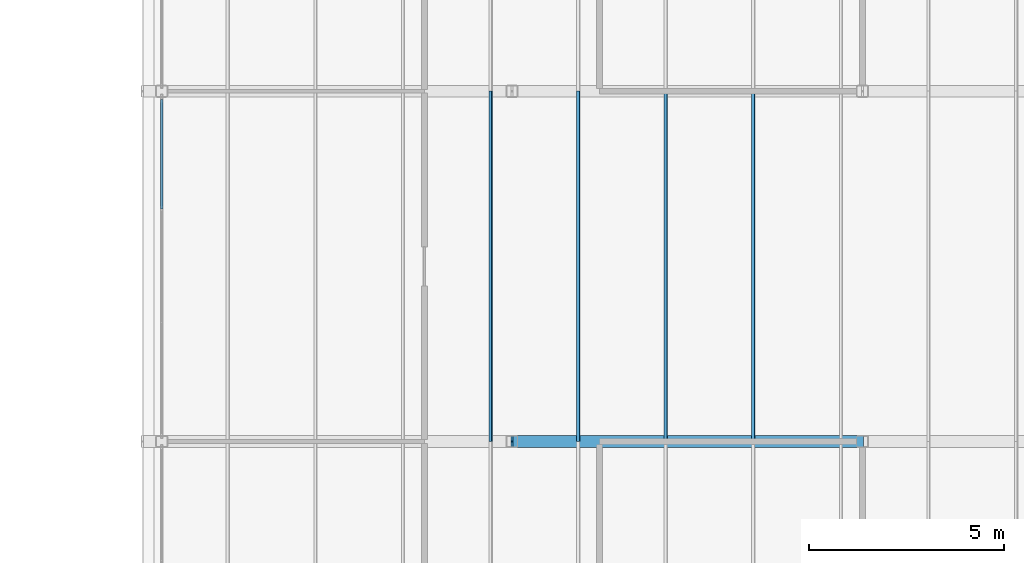
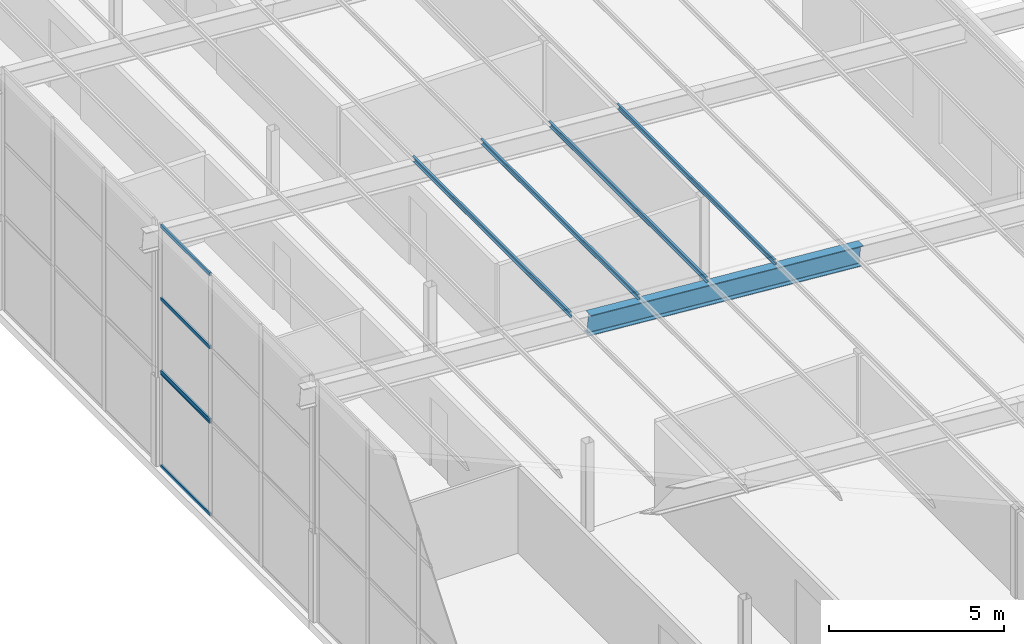
# One storey, part 36 of 85: 10 members, 2 elements without a shape of their own.
"""IFC4 building model written with IfcOpenShell, lengths in metres."""

from ifc_helpers import new_model, si_unit, direction, frame, origin, origin_2d, place, context, subcontext, project, spatial, polyline, hollow_rectangle, i_section, outline, extrude, material, layer, layer_set, material_profile, profile_set, type_object, element, aggregate, save


model = new_model("IFC4")

# Units and contexts
model_context = context("Model", 3, precision=1e-05, world=origin(), true_north=direction((0.0, 1.0)))
body_context = subcontext(model_context, "Body", "Model", "MODEL_VIEW")
ifc_project = project(units=[si_unit("LENGTHUNIT", "METRE"), si_unit("AREAUNIT", "SQUARE_METRE"), si_unit("VOLUMEUNIT", "CUBIC_METRE"), si_unit("PLANEANGLEUNIT", "RADIAN"), si_unit("MASSUNIT", "GRAM", prefix="KILO")], contexts=[model_context])

# Site, building, storey
site_placement = place(None, origin())
site = spatial("IfcSite", under=ifc_project, at=site_placement, CompositionType="ELEMENT")
building_placement = place(site_placement, origin())
building = spatial("IfcBuilding", under=site, at=building_placement, Name="Opaline Strait Convention Centre", CompositionType="ELEMENT")
storey_placement = place(building_placement, frame((0.0, 0.0, 17.0)))
storey = spatial("IfcBuildingStorey", under=building, at=storey_placement, Name="L03", CompositionType="ELEMENT", Elevation=17.0)

# Curtain wall, members
ifc_material_1 = material(Name="Aluminium framed double glazing", Category="aluminium")
ifc_layer = layer(ifc_material_1, 0.199951171875)
ifc_layer_set = layer_set([ifc_layer], Name="Aluminium framed double glazing")
curtain_wall_type = type_object("IfcCurtainWallType", Name="Curtain wall 3000 module unitised", PredefinedType="NOTDEFINED", material=ifc_layer_set)
curtain_wall_1_placement = place(storey_placement, origin())
curtain_wall_1 = element("IfcCurtainWall", 1, at=curtain_wall_1_placement, inside=storey, type_object=curtain_wall_type, Name="Curtain wall W L03 32/R", PredefinedType="NOTDEFINED")
ifc_material_2 = material(Name="Aluminium alloy 6063", Category="aluminium")
ifc_material_profile_1 = material_profile(ifc_material_2, hollow_rectangle(XDim=0.06005859375, YDim=0.1201171875, WallThickness=0.0029296875, at=origin_2d()), Name="TRANSOM 60x120x3")
ifc_profile_set_1 = profile_set([ifc_material_profile_1], Name="Aluminium alloy 6063")
member_type_1 = type_object("IfcMemberType", Name="Curtain wall transom 60 x 120", PredefinedType="USERDEFINED", material=ifc_profile_set_1)
member_1_placement = place(storey_placement, frame((279.0, 140.97998046875, 0.030029296875), z_axis=(0.0, 1.0, 0.0), x_axis=(-1.0, 0.0, 0.0)))
member_1 = element("IfcMember", 2, at=member_1_placement, type_object=member_type_1, Name="MCWR1 transom 3.1", ObjectType="TRANSOM", PredefinedType="USERDEFINED", context=body_context, shape_type="SweptSolid", body=[
    extrude(hollow_rectangle(XDim=0.06005859375, YDim=0.1201171875, WallThickness=0.0029296875, at=origin_2d()), origin(), (0.0, 0.0, 1.0), 2.81005859375),
])
member_2_placement = place(storey_placement, frame((279.0, 140.97998046875, 3.27001953125), z_axis=(0.0, 1.0, 0.0), x_axis=(-1.0, 0.0, 0.0)))
member_2 = element("IfcMember", 3, at=member_2_placement, type_object=member_type_1, Name="MCWR1 transom 3.2", ObjectType="TRANSOM", PredefinedType="USERDEFINED", context=body_context, shape_type="SweptSolid", body=[
    extrude(hollow_rectangle(XDim=0.06005859375, YDim=0.1201171875, WallThickness=0.0029296875, at=origin_2d()), origin(), (0.0, 0.0, 1.0), 2.81005859375),
])
aggregate(curtain_wall_1, [member_1, member_2])

curtain_wall_2_placement = place(storey_placement, origin())
curtain_wall_2 = element("IfcCurtainWall", 4, at=curtain_wall_2_placement, inside=storey, type_object=curtain_wall_type, Name="Clerestory curtain wall W L03 32/R", PredefinedType="NOTDEFINED")
member_3_placement = place(storey_placement, frame((279.0, 140.97998046875, 3.330078125), z_axis=(0.0, 1.0, 0.0), x_axis=(-1.0, 0.0, 0.0)))
member_3 = element("IfcMember", 5, at=member_3_placement, type_object=member_type_1, Name="MCWR1 transom 3.1", ObjectType="TRANSOM", PredefinedType="USERDEFINED", context=body_context, shape_type="SweptSolid", body=[
    extrude(hollow_rectangle(XDim=0.06005859375, YDim=0.1201171875, WallThickness=0.0029296875, at=origin_2d()), origin(), (0.0, 0.0, 1.0), 2.81005859375),
])
member_4_placement = place(storey_placement, frame((279.0, 140.97998046875, 5.872314453125), z_axis=(0.0, 1.0, 0.0), x_axis=(-1.0, 0.0, 0.0)))
member_4 = element("IfcMember", 6, at=member_4_placement, type_object=member_type_1, Name="MCWR1 transom 3.2", ObjectType="TRANSOM", PredefinedType="USERDEFINED", context=body_context, shape_type="SweptSolid", body=[
    extrude(hollow_rectangle(XDim=0.06005859375, YDim=0.1201171875, WallThickness=0.0029296875, at=origin_2d()), origin(), (0.0, 0.0, 1.0), 2.81005859375),
])
member_5_placement = place(storey_placement, frame((279.0, 140.97998046875, 8.414306640625), z_axis=(0.0, 1.0, 0.0), x_axis=(-1.0, 0.0, 0.0)))
member_5 = element("IfcMember", 7, at=member_5_placement, type_object=member_type_1, Name="MCWR1 transom 3.3", ObjectType="TRANSOM", PredefinedType="USERDEFINED", context=body_context, shape_type="SweptSolid", body=[
    extrude(hollow_rectangle(XDim=0.06005859375, YDim=0.1201171875, WallThickness=0.0029296875, at=origin_2d()), origin(), (0.0, 0.0, 1.0), 2.81005859375),
])
aggregate(curtain_wall_2, [member_3, member_4, member_5])

# Members
ifc_material_3 = material(Name="Steel Q355B", Category="steel")
ifc_material_profile_2 = material_profile(ifc_material_3, outline(polyline([(-0.034912109375, -0.10009765625), (0.034912109375, -0.10009765625), (0.034912109375, -0.080078125), (0.032470703125, -0.080078125), (0.032470703125, -0.097412109375), (-0.032470703125, -0.097412109375), (-0.032470703125, 0.097412109375), (0.032470703125, 0.097412109375), (0.032470703125, 0.080078125), (0.034912109375, 0.080078125), (0.034912109375, 0.10009765625), (-0.034912109375, 0.10009765625), (-0.034912109375, -0.10009765625)])), Name="C 200x70x20x2.5")
ifc_profile_set_2 = profile_set([ifc_material_profile_2], Name="Steel Q355B")
member_type_2 = type_object("IfcMemberType", Name="Roof purlin C 200x70x20x2.5", PredefinedType="PURLIN", material=ifc_profile_set_2)
for number, where, z_axis, x_axis, name in (
    (8, (294.199951171875, 135.0, 7.147705078125), (0.0, 1.0, 0.0), (-0.996917333733, 0.0, -0.078459095728), "MRP1 purlin W wing 146"),
    (9, (291.949951171875, 135.0, 7.324951171875), (0.0, 1.0, 0.0), (-0.996917333733, 0.0, -0.078459095728), "MRP1 purlin W wing 156"),
    (10, (289.699951171875, 135.0, 7.501953125), (0.0, 1.0, 0.0), (-0.996917333733, 0.0, -0.078459095728), "MRP1 purlin W wing 166"),
    (11, (287.449951171875, 135.0, 7.678955078125), (0.0, 1.0, 0.0), (-0.996917333733, 0.0, -0.078459095728), "MRP1 purlin W wing 176"),
):
    element("IfcMember", number, at=place(storey_placement, frame(where, z_axis=z_axis, x_axis=x_axis)), inside=storey, type_object=member_type_2, Name=name, PredefinedType="PURLIN", context=body_context, shape_type="SweptSolid", body=[
        extrude(outline(polyline([(-0.034912109375, -0.10009765625), (0.034912109375, -0.10009765625), (0.034912109375, -0.080078125), (0.032470703125, -0.080078125), (0.032470703125, -0.097412109375), (-0.032470703125, -0.097412109375), (-0.032470703125, 0.097412109375), (0.032470703125, 0.097412109375), (0.032470703125, 0.080078125), (0.034912109375, 0.080078125), (0.034912109375, 0.10009765625), (-0.034912109375, 0.10009765625), (-0.034912109375, -0.10009765625)])), origin(), (0.0, 0.0, 1.0), 9.0),
    ])
ifc_material_profile_3 = material_profile(ifc_material_3, i_section(OverallWidth=0.300048828125, OverallDepth=0.699951171875, WebThickness=0.012939453125, FlangeThickness=0.02392578125, FilletRadius=0.01806640625, at=origin_2d()), Name="HN 700x300x13x24")
ifc_profile_set_3 = profile_set([ifc_material_profile_3], Name="Steel Q355B")
member_type_3 = type_object("IfcMemberType", Name="Roof rafter HN 700x300x13x24", PredefinedType="RAFTER", material=ifc_profile_set_3)
member_6_placement = place(storey_placement, frame((288.0, 135.0, 7.184326171875), z_axis=(0.996917883079, 0.0, -0.078452115311), x_axis=(0.0, 1.0, 0.0)))
element("IfcMember", 12, at=member_6_placement, inside=storey, type_object=member_type_3, Name="MRR1 rafter y 135", PredefinedType="RAFTER", context=body_context, shape_type="SweptSolid", body=[
    extrude(i_section(OverallWidth=0.300048828125, OverallDepth=0.699951171875, WebThickness=0.012939453125, FlangeThickness=0.02392578125, FilletRadius=0.01806640625, at=origin_2d()), origin(), (0.0, 0.0, 1.0), 9.02783203125),
])

save(model, "model.ifc")
